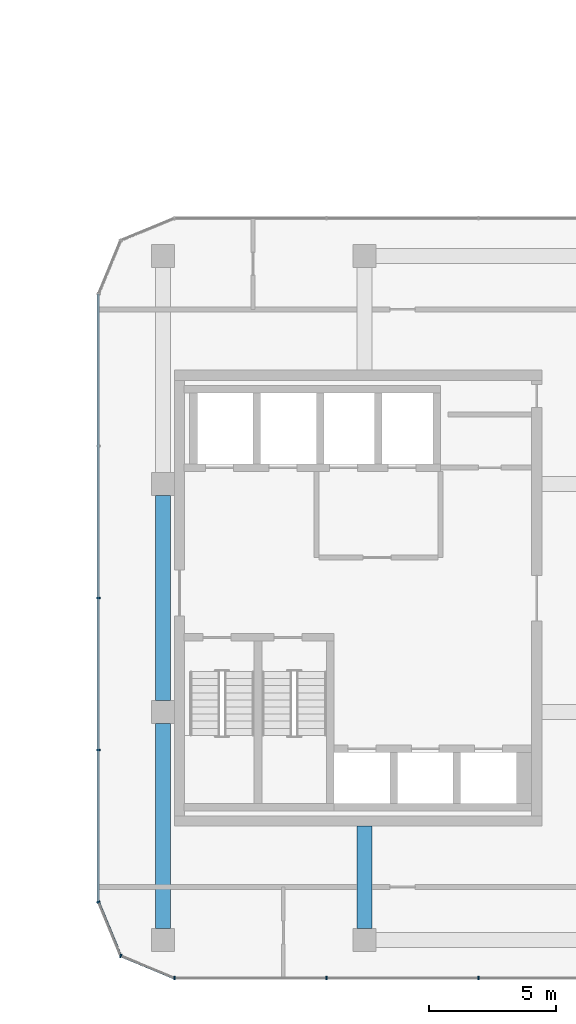
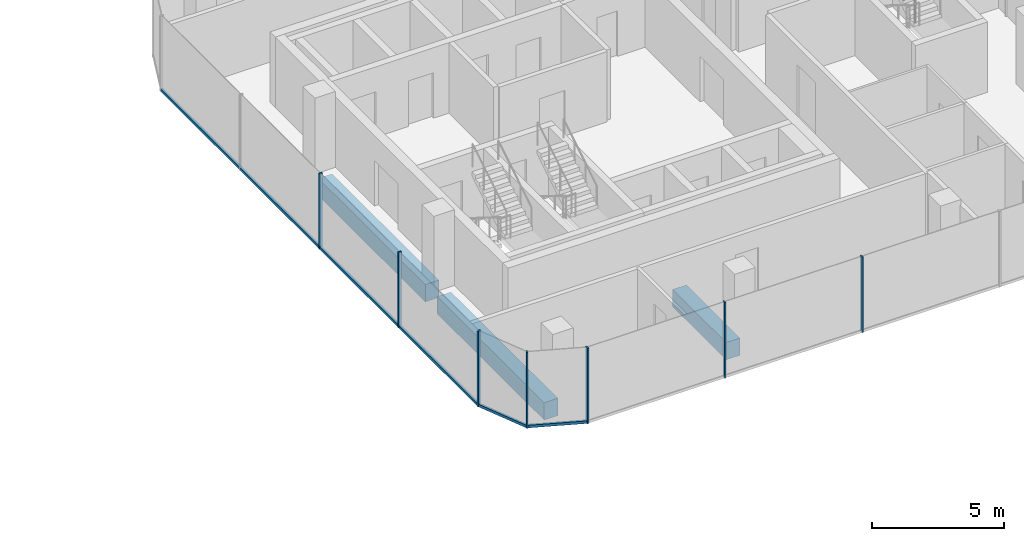
# One storey, part 7 of 22: 10 members, 3 beams, 4 elements without a shape of their own.
"""IFC4 building model written with IfcOpenShell, lengths in metres."""

from ifc_helpers import new_model, si_unit, direction, frame, origin, origin_2d, place, context, subcontext, project, spatial, rectangle, extrude, material, layer, layer_set, material_profile, profile_set, type_object, element, aggregate, save


model = new_model("IFC4")

# Units and contexts
model_context = context("Model", 3, precision=1e-05, world=origin(), true_north=direction((0.0, 1.0)))
body_context = subcontext(model_context, "Body", "Model", "MODEL_VIEW")
ifc_project = project(units=[si_unit("LENGTHUNIT", "METRE"), si_unit("AREAUNIT", "SQUARE_METRE"), si_unit("VOLUMEUNIT", "CUBIC_METRE"), si_unit("PLANEANGLEUNIT", "RADIAN"), si_unit("MASSUNIT", "GRAM", prefix="KILO")], contexts=[model_context])

# Site, building, storey
site_placement = place(None, origin())
site = spatial("IfcSite", under=ifc_project, at=site_placement, CompositionType="ELEMENT")
building_placement = place(site_placement, origin())
building = spatial("IfcBuilding", under=site, at=building_placement, Name="Plateau Cross Towers", CompositionType="ELEMENT")
storey_placement = place(building_placement, frame((0.0, 0.0, 99.300048828125)))
storey = spatial("IfcBuildingStorey", under=building, at=storey_placement, Name="L25", CompositionType="ELEMENT", Elevation=99.300048828125)

# Beam
ifc_material_1 = material(Name="Concrete C60/75", Category="concrete")
ifc_material_profile_1 = material_profile(ifc_material_1, rectangle(XDim=0.60009765625, YDim=0.800048828125, at=origin_2d()), Name="RC 600x800")
ifc_profile_set_1 = profile_set([ifc_material_profile_1], Name="Concrete C60/75")
beam_type_1 = type_object("IfcBeamType", Name="Core beam RC 600x800", PredefinedType="BEAM", material=ifc_profile_set_1)
beam_placement = place(storey_placement, frame((82.5, 0.0, -0.650146484375), z_axis=(0.0, -1.0, 0.0), x_axis=(1.0, 0.0, 0.0)))
element("IfcBeam", 1, at=beam_placement, inside=storey, type_object=beam_type_1, Name="B-CB01@L25", PredefinedType="BEAM", context=body_context, shape_type="SweptSolid", body=[
    extrude(rectangle(XDim=0.60009765625, YDim=0.800048828125, at=origin_2d()), origin(), (0.0, 0.0, 1.0), 4.050048828125),
])

# Curtain wall, members
ifc_material_2 = material(Name="Dark low-iron glass", Category="glass")
ifc_layer = layer(ifc_material_2, 0.239990234375)
ifc_layer_set = layer_set([ifc_layer], Name="Dark low-iron glass")
curtain_wall_type = type_object("IfcCurtainWallType", Name="Curtain wall office unitised CW-F", PredefinedType="NOTDEFINED", material=ifc_layer_set)
curtain_wall_1_placement = place(storey_placement, origin())
curtain_wall_1 = element("IfcCurtainWall", 2, at=curtain_wall_1_placement, inside=storey, type_object=curtain_wall_type, Name="ENV/B/L25/B750_-60", PredefinedType="NOTDEFINED")
ifc_material_3 = material(Name="Black anodised aluminium", Category="aluminium")
ifc_material_profile_2 = material_profile(ifc_material_3, rectangle(XDim=0.06005859375, YDim=0.139892578125, at=origin_2d()), Name="MULLION 60x140")
ifc_profile_set_2 = profile_set([ifc_material_profile_2], Name="Black anodised aluminium")
member_type_1 = type_object("IfcMemberType", Name="Mullion 60x140 office unitised", PredefinedType="MULLION", material=ifc_profile_set_2)
member_1_placement = place(storey_placement, frame((75.0, -6.0, -0.25), z_axis=(0.0, 0.0, 1.0), x_axis=(1.0, 0.0, 0.0)))
member_1 = element("IfcMember", 3, at=member_1_placement, type_object=member_type_1, Name="CW-F mullion 1", PredefinedType="MULLION", context=body_context, shape_type="SweptSolid", body=[
    extrude(rectangle(XDim=0.06005859375, YDim=0.139892578125, at=origin_2d()), origin(), (0.0, 0.0, 1.0), 3.5),
])
member_2_placement = place(storey_placement, frame((81.0, -6.0, -0.25), z_axis=(0.0, 0.0, 1.0), x_axis=(1.0, 0.0, 0.0)))
member_2 = element("IfcMember", 4, at=member_2_placement, type_object=member_type_1, Name="CW-F mullion 2", PredefinedType="MULLION", context=body_context, shape_type="SweptSolid", body=[
    extrude(rectangle(XDim=0.06005859375, YDim=0.139892578125, at=origin_2d()), origin(), (0.0, 0.0, 1.0), 3.5),
])
member_3_placement = place(storey_placement, frame((87.0, -6.0, -0.25), z_axis=(0.0, 0.0, 1.0), x_axis=(1.0, 0.0, 0.0)))
member_3 = element("IfcMember", 5, at=member_3_placement, type_object=member_type_1, Name="CW-F mullion 3", PredefinedType="MULLION", context=body_context, shape_type="SweptSolid", body=[
    extrude(rectangle(XDim=0.06005859375, YDim=0.139892578125, at=origin_2d()), origin(), (0.0, 0.0, 1.0), 3.5),
])
aggregate(curtain_wall_1, [member_1, member_2, member_3])

curtain_wall_2_placement = place(storey_placement, origin())
curtain_wall_2 = element("IfcCurtainWall", 6, at=curtain_wall_2_placement, inside=storey, type_object=curtain_wall_type, Name="ENV/B/L25/B720_210", PredefinedType="NOTDEFINED")
member_4_placement = place(storey_placement, frame((72.0, 9.0, -0.25), z_axis=(0.0, 0.0, 1.0), x_axis=(0.0, -1.0, 0.0)))
member_4 = element("IfcMember", 7, at=member_4_placement, type_object=member_type_1, Name="CW-F mullion 3", PredefinedType="MULLION", context=body_context, shape_type="SweptSolid", body=[
    extrude(rectangle(XDim=0.06005859375, YDim=0.139892578125, at=origin_2d()), origin(), (0.0, 0.0, 1.0), 3.5),
])
member_5_placement = place(storey_placement, frame((72.0, 3.0, -0.25), z_axis=(0.0, 0.0, 1.0), x_axis=(0.0, -1.0, 0.0)))
member_5 = element("IfcMember", 8, at=member_5_placement, type_object=member_type_1, Name="CW-F mullion 4", PredefinedType="MULLION", context=body_context, shape_type="SweptSolid", body=[
    extrude(rectangle(XDim=0.06005859375, YDim=0.139892578125, at=origin_2d()), origin(), (0.0, 0.0, 1.0), 3.5),
])

# Curtain wall, member
curtain_wall_3_placement = place(storey_placement, origin())
curtain_wall_3 = element("IfcCurtainWall", 9, at=curtain_wall_3_placement, inside=storey, type_object=curtain_wall_type, Name="ENV/B/L25/B720_-30", PredefinedType="NOTDEFINED")
member_6_placement = place(storey_placement, frame((72.0, -3.0, -0.25), z_axis=(0.0, 0.0, 1.0), x_axis=(0.382683612978, -0.923879457699, 0.0)))
member_6 = element("IfcMember", 10, at=member_6_placement, type_object=member_type_1, Name="CW-F mullion 1", PredefinedType="MULLION", context=body_context, shape_type="SweptSolid", body=[
    extrude(rectangle(XDim=0.06005859375, YDim=0.139892578125, at=origin_2d()), origin(), (0.0, 0.0, 1.0), 3.5),
])

curtain_wall_4_placement = place(storey_placement, origin())
curtain_wall_4 = element("IfcCurtainWall", 11, at=curtain_wall_4_placement, inside=storey, type_object=curtain_wall_type, Name="ENV/B/L25/B729_-51", PredefinedType="NOTDEFINED")
member_7_placement = place(storey_placement, frame((72.878662109375, -5.121337890625, -0.25), z_axis=(0.0, 0.0, 1.0), x_axis=(0.923879457699, -0.382683612978, 0.0)))
member_7 = element("IfcMember", 12, at=member_7_placement, type_object=member_type_1, Name="CW-F mullion 1", PredefinedType="MULLION", context=body_context, shape_type="SweptSolid", body=[
    extrude(rectangle(XDim=0.06005859375, YDim=0.139892578125, at=origin_2d()), origin(), (0.0, 0.0, 1.0), 3.5),
])

# Beams
ifc_material_profile_3 = material_profile(ifc_material_1, rectangle(XDim=0.60009765625, YDim=0.800048828125, at=origin_2d()), Name="RC 600x800")
ifc_profile_set_3 = profile_set([ifc_material_profile_3], Name="Concrete C60/75")
beam_type_2 = type_object("IfcBeamType", Name="Ring beam RC 600x800", PredefinedType="BEAM", material=ifc_profile_set_3)
for number, where, z_axis, x_axis, name in (
    (13, (74.550048828125, 13.050048828125, -0.650146484375), (0.0, -1.0, 0.0), (1.0, 0.0, 0.0), "B-RB09@L25"),
    (14, (74.550048828125, 4.050048828125, -0.650146484375), (0.0, -1.0, 0.0), (1.0, 0.0, 0.0), "B-RB10@L25"),
):
    element("IfcBeam", number, at=place(storey_placement, frame(where, z_axis=z_axis, x_axis=x_axis)), inside=storey, type_object=beam_type_2, Name=name, PredefinedType="BEAM", context=body_context, shape_type="SweptSolid", body=[
        extrude(rectangle(XDim=0.60009765625, YDim=0.800048828125, at=origin_2d()), origin(), (0.0, 0.0, 1.0), 8.10009765625),
    ])

# Member
ifc_material_profile_4 = material_profile(ifc_material_3, rectangle(XDim=0.10009765625, YDim=0.1201171875, at=origin_2d()), Name="TRANSOM 100x120")
ifc_profile_set_4 = profile_set([ifc_material_profile_4], Name="Black anodised aluminium")
member_type_2 = type_object("IfcMemberType", Name="Transom 100x120 office unitised", PredefinedType="USERDEFINED", material=ifc_profile_set_4)
member_8_placement = place(storey_placement, frame((72.0, 21.0, -0.18994140625), z_axis=(0.0, -1.0, 0.0), x_axis=(1.0, 0.0, 0.0)))
member_8 = element("IfcMember", 15, at=member_8_placement, type_object=member_type_2, Name="CW-F transom", ObjectType="TRANSOM", PredefinedType="USERDEFINED", context=body_context, shape_type="SweptSolid", body=[
    extrude(rectangle(XDim=0.10009765625, YDim=0.1201171875, at=origin_2d()), origin(), (0.0, 0.0, 1.0), 24.0),
])

aggregate(curtain_wall_2, [member_4, member_5, member_8])

member_9_placement = place(storey_placement, frame((72.0, -3.0, -0.18994140625), z_axis=(0.382674207535, -0.923883353507, 0.0), x_axis=(0.923883353507, 0.382674207535, 0.0)))
member_9 = element("IfcMember", 16, at=member_9_placement, type_object=member_type_2, Name="CW-F transom", ObjectType="TRANSOM", PredefinedType="USERDEFINED", context=body_context, shape_type="SweptSolid", body=[
    extrude(rectangle(XDim=0.10009765625, YDim=0.1201171875, at=origin_2d()), origin(), (0.0, 0.0, 1.0), 2.296142578125),
])

aggregate(curtain_wall_3, [member_6, member_9])

member_10_placement = place(storey_placement, frame((72.878662109375, -5.121337890625, -0.18994140625), z_axis=(0.923883353507, -0.382674207535, 0.0), x_axis=(0.382674207535, 0.923883353507, 0.0)))
member_10 = element("IfcMember", 17, at=member_10_placement, type_object=member_type_2, Name="CW-F transom", ObjectType="TRANSOM", PredefinedType="USERDEFINED", context=body_context, shape_type="SweptSolid", body=[
    extrude(rectangle(XDim=0.10009765625, YDim=0.1201171875, at=origin_2d()), origin(), (0.0, 0.0, 1.0), 2.296142578125),
])

aggregate(curtain_wall_4, [member_7, member_10])

save(model, "model.ifc")
